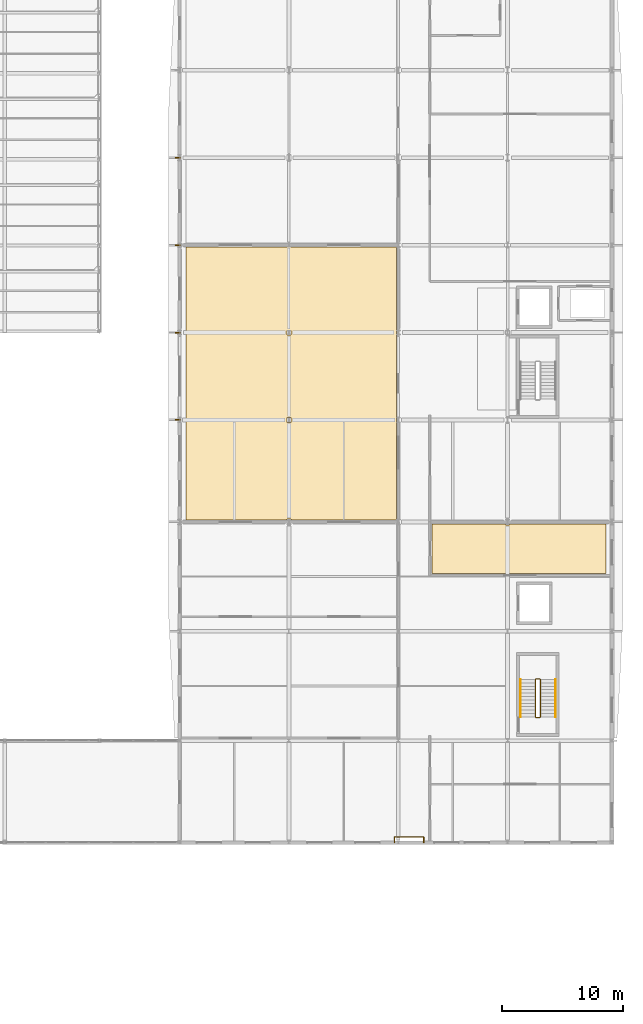
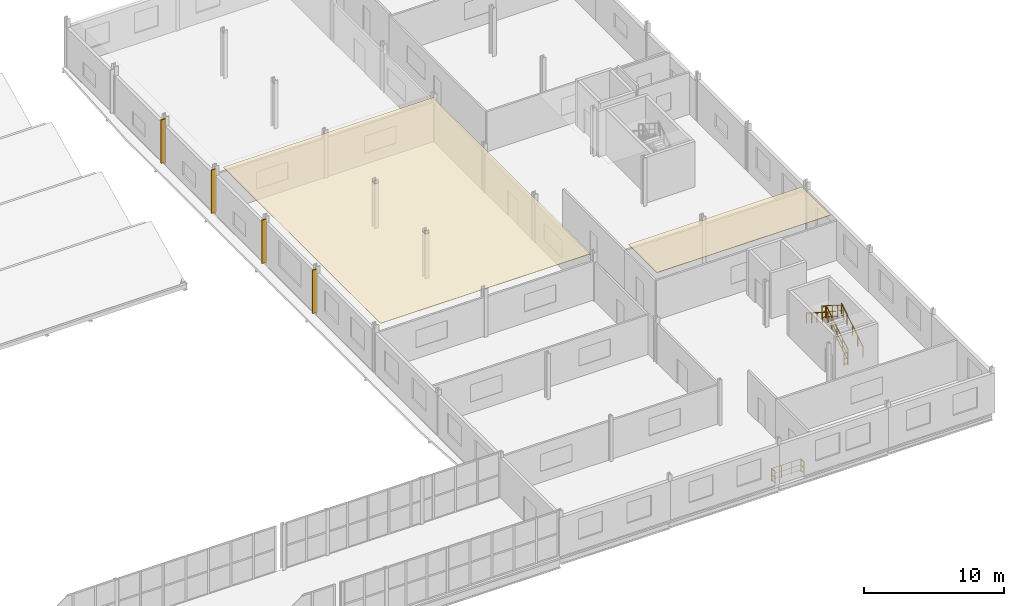
# One storey, part 137 of 138: 9 railings, 4 shading devices, 2 coverings.
"""IFC4 building model written with IfcOpenShell, lengths in metres."""

from ifc_helpers import new_model, si_unit, direction, frame, origin, origin_2d, place, context, subcontext, project, spatial, polyline, rectangle, circle, outline, extrude, material, layer, layer_set, type_object, element, save


model = new_model("IFC4")

# Units and contexts
model_context = context("Model", 3, precision=1e-05, world=origin(), true_north=direction((0.0, 1.0)))
body_context = subcontext(model_context, "Body", "Model", "MODEL_VIEW")
ifc_project = project(units=[si_unit("LENGTHUNIT", "METRE"), si_unit("AREAUNIT", "SQUARE_METRE"), si_unit("VOLUMEUNIT", "CUBIC_METRE"), si_unit("PLANEANGLEUNIT", "RADIAN"), si_unit("MASSUNIT", "GRAM", prefix="KILO")], contexts=[model_context])

# Site, building, storey
site_placement = place(None, origin())
site = spatial("IfcSite", under=ifc_project, at=site_placement, CompositionType="ELEMENT")
building_placement = place(site_placement, origin())
building = spatial("IfcBuilding", under=site, at=building_placement, Name="Vinh Khe Railworks Police Headquarters", CompositionType="ELEMENT")
storey_placement = place(building_placement, frame((0.0, 0.0, 9.0)))
storey = spatial("IfcBuildingStorey", under=building, at=storey_placement, Name="L02", CompositionType="ELEMENT", Elevation=9.0)

# Coverings
ifc_material_1 = material(Name="Mineral fibre acoustic ceiling tile")
ifc_layer = layer(ifc_material_1, 0.034912109375)
ifc_layer_set = layer_set([ifc_layer], Name="Mineral fibre acoustic ceiling tile")
covering_type = type_object("IfcCoveringType", Name="COV-CEIL-ACOUSTIC", PredefinedType="CEILING", material=ifc_layer_set)
covering_1_placement = place(storey_placement, frame((0.0, 0.0, 3.89501953125)))
element("IfcCovering", 1, at=covering_1_placement, inside=storey, type_object=covering_type, Name="Acoustic Ceiling Ballistics Forensic Laboratory", PredefinedType="CEILING", context=body_context, shape_type="SweptSolid", body=[
    extrude(outline(polyline([(87.155029296875, 122.56005859375), (95.840087890625, 122.56005859375), (95.840087890625, 145.0400390625), (87.155029296875, 145.0400390625), (87.155029296875, 145.02490234375), (86.844970703125, 145.02490234375), (86.844970703125, 145.0400390625), (78.510009765625, 145.0400390625), (78.510009765625, 122.56005859375), (86.844970703125, 122.56005859375), (86.844970703125, 122.6298828125), (87.155029296875, 122.6298828125), (87.155029296875, 122.56005859375)]), holes=[polyline([(87.155029296875, 130.594970703125), (86.844970703125, 130.594970703125), (86.844970703125, 131.0048828125), (87.155029296875, 131.0048828125), (87.155029296875, 130.594970703125)]), polyline([(87.155029296875, 137.81494140625), (86.844970703125, 137.81494140625), (86.844970703125, 138.18505859375), (87.155029296875, 138.18505859375), (87.155029296875, 137.81494140625)])]), origin(), (0.0, 0.0, 1.0), 0.034912109375),
])
covering_2_placement = place(storey_placement, frame((0.0, 0.0, 3.89501953125)))
element("IfcCovering", 2, at=covering_2_placement, inside=storey, type_object=covering_type, Name="Acoustic Ceiling Forensic Biometrics Intake Room", PredefinedType="CEILING", context=body_context, shape_type="SweptSolid", body=[
    extrude(outline(polyline([(113.090087890625, 118.159912109375), (113.090087890625, 122.239990234375), (105.155029296875, 122.239990234375), (105.155029296875, 122.169921875), (104.844970703125, 122.169921875), (104.844970703125, 122.239990234375), (98.760009765625, 122.239990234375), (98.760009765625, 118.159912109375), (113.090087890625, 118.159912109375)])), origin(), (0.0, 0.0, 1.0), 0.034912109375),
])

# Railings
ifc_material_2 = material(Name="Painted tubular steel", Category="steel")
railing_type_1 = type_object("IfcRailingType", Name="RL-GUARD-1100", PredefinedType="GUARDRAIL", material=ifc_material_2)
railing_1_placement = place(storey_placement, frame((107.699951171875, 106.35009765625, 0.175048828125)))
element("IfcRailing", 3, at=railing_1_placement, inside=storey, type_object=railing_type_1, Name="L02 ST-04 stair guard 1", PredefinedType="GUARDRAIL", context=body_context, shape_type="SweptSolid", body=[
    extrude(circle(Radius=0.02392578125, at=origin_2d()), frame((0.0, 0.0, 1.076171875), z_axis=(0.0, 0.847979421464, 0.530029150871), x_axis=(-1.0, 0.0, 0.0)), (0.0, 0.0, 1.0), 3.632080078125),
    extrude(circle(Radius=0.01416015625, at=origin_2d()), frame((0.0, 0.0, 0.132080078125), z_axis=(0.0, 0.847979421464, 0.530029150871), x_axis=(-1.0, 0.0, 0.0)), (0.0, 0.0, 1.0), 3.632080078125),
    extrude(circle(Radius=0.01416015625, at=origin_2d()), frame((0.0, 0.0, 0.572021484375), z_axis=(0.0, 0.847979421464, 0.530029150871), x_axis=(-1.0, 0.0, 0.0)), (0.0, 0.0, 1.0), 3.632080078125),
    extrude(circle(Radius=0.02099609375, at=origin_2d()), origin(), (0.0, 0.0, 1.0), 1.052001953125),
    extrude(circle(Radius=0.02099609375, at=origin_2d()), frame((0.0, 0.77001953125, 0.481201171875)), (0.0, 0.0, 1.0), 1.052001953125),
    extrude(circle(Radius=0.02099609375, at=origin_2d()), frame((0.0, 1.5400390625, 0.96240234375)), (0.0, 0.0, 1.0), 1.052001953125),
    extrude(circle(Radius=0.02099609375, at=origin_2d()), frame((0.0, 2.309814453125, 1.44384765625)), (0.0, 0.0, 1.0), 1.052001953125),
    extrude(circle(Radius=0.02099609375, at=origin_2d()), frame((0.0, 3.079833984375, 1.925048828125)), (0.0, 0.0, 1.0), 1.052001953125),
])
railing_2_placement = place(storey_placement, frame((107.64990234375, 109.47998046875, 2.10009765625)))
element("IfcRailing", 4, at=railing_2_placement, inside=storey, type_object=railing_type_1, Name="L02 ST-04 stair guard 2", PredefinedType="GUARDRAIL", context=body_context, shape_type="SweptSolid", body=[
    extrude(circle(Radius=0.02392578125, at=origin_2d()), frame((0.0, 0.0, 1.076171875), z_axis=(-1.0, 0.0, 0.0), x_axis=(0.0, -1.0, 0.0)), (0.0, 0.0, 1.0), 0.2998046875),
    extrude(circle(Radius=0.01416015625, at=origin_2d()), frame((0.0, 0.0, 0.132080078125), z_axis=(-1.0, 0.0, 0.0), x_axis=(0.0, -1.0, 0.0)), (0.0, 0.0, 1.0), 0.2998046875),
    extrude(circle(Radius=0.01416015625, at=origin_2d()), frame((0.0, 0.0, 0.572021484375), z_axis=(-1.0, 0.0, 0.0), x_axis=(0.0, -1.0, 0.0)), (0.0, 0.0, 1.0), 0.2998046875),
    extrude(circle(Radius=0.02099609375, at=origin_2d()), origin(), (0.0, 0.0, 1.0), 1.052001953125),
    extrude(circle(Radius=0.02099609375, at=origin_2d()), frame((-0.2998046875, 0.0, 0.0)), (0.0, 0.0, 1.0), 1.052001953125),
])
railing_3_placement = place(storey_placement, frame((107.300048828125, 109.429931640625, 2.27490234375)))
element("IfcRailing", 5, at=railing_3_placement, inside=storey, type_object=railing_type_1, Name="L02 ST-04 stair guard 3", PredefinedType="GUARDRAIL", context=body_context, shape_type="SweptSolid", body=[
    extrude(circle(Radius=0.02392578125, at=origin_2d()), frame((0.0, 0.0, 1.076171875), z_axis=(0.0, -0.847979421464, 0.530029150871), x_axis=(1.0, 0.0, 0.0)), (0.0, 0.0, 1.0), 3.632080078125),
    extrude(circle(Radius=0.01416015625, at=origin_2d()), frame((0.0, 0.0, 0.132080078125), z_axis=(0.0, -0.847979421464, 0.530029150871), x_axis=(1.0, 0.0, 0.0)), (0.0, 0.0, 1.0), 3.632080078125),
    extrude(circle(Radius=0.01416015625, at=origin_2d()), frame((0.0, 0.0, 0.572021484375), z_axis=(0.0, -0.847979421464, 0.530029150871), x_axis=(1.0, 0.0, 0.0)), (0.0, 0.0, 1.0), 3.632080078125),
    extrude(circle(Radius=0.02099609375, at=origin_2d()), origin(), (0.0, 0.0, 1.0), 1.052001953125),
    extrude(circle(Radius=0.02099609375, at=origin_2d()), frame((0.0, -0.77001953125, 0.481201171875)), (0.0, 0.0, 1.0), 1.052001953125),
    extrude(circle(Radius=0.02099609375, at=origin_2d()), frame((0.0, -1.5400390625, 0.96240234375)), (0.0, 0.0, 1.0), 1.052001953125),
    extrude(circle(Radius=0.02099609375, at=origin_2d()), frame((0.0, -2.309814453125, 1.44384765625)), (0.0, 0.0, 1.0), 1.052001953125),
    extrude(circle(Radius=0.02099609375, at=origin_2d()), frame((0.0, -3.079833984375, 1.925048828125)), (0.0, 0.0, 1.0), 1.052001953125),
])
railing_4_placement = place(storey_placement, frame((107.64990234375, 106.300048828125, 0.0)))
element("IfcRailing", 6, at=railing_4_placement, inside=storey, type_object=railing_type_1, Name="L02 ST-04 stair guard 4", PredefinedType="GUARDRAIL", context=body_context, shape_type="SweptSolid", body=[
    extrude(circle(Radius=0.02392578125, at=origin_2d()), frame((0.0, 0.0, 1.076171875), z_axis=(-1.0, 0.0, 0.0), x_axis=(0.0, -1.0, 0.0)), (0.0, 0.0, 1.0), 0.2998046875),
    extrude(circle(Radius=0.01416015625, at=origin_2d()), frame((0.0, 0.0, 0.132080078125), z_axis=(-1.0, 0.0, 0.0), x_axis=(0.0, -1.0, 0.0)), (0.0, 0.0, 1.0), 0.2998046875),
    extrude(circle(Radius=0.01416015625, at=origin_2d()), frame((0.0, 0.0, 0.572021484375), z_axis=(-1.0, 0.0, 0.0), x_axis=(0.0, -1.0, 0.0)), (0.0, 0.0, 1.0), 0.2998046875),
    extrude(circle(Radius=0.02099609375, at=origin_2d()), origin(), (0.0, 0.0, 1.0), 1.052001953125),
    extrude(circle(Radius=0.02099609375, at=origin_2d()), frame((-0.2998046875, 0.0, 0.0)), (0.0, 0.0, 1.0), 1.052001953125),
])
railing_5_placement = place(storey_placement, frame((95.699951171875, 96.0, 0.0)))
element("IfcRailing", 7, at=railing_5_placement, inside=storey, type_object=railing_type_1, Name="Slab Corner Notch Guard L02-84", PredefinedType="GUARDRAIL", context=body_context, shape_type="SweptSolid", body=[
    extrude(circle(Radius=0.02392578125, at=origin_2d()), frame((0.0, 0.0, 1.09619140625), z_axis=(0.0, 1.0, 0.0), x_axis=(-1.0, 0.0, 0.0)), (0.0, 0.0, 1.0), 0.449951171875),
    extrude(circle(Radius=0.01416015625, at=origin_2d()), frame((0.0, 0.0, 0.134521484375), z_axis=(0.0, 1.0, 0.0), x_axis=(-1.0, 0.0, 0.0)), (0.0, 0.0, 1.0), 0.449951171875),
    extrude(circle(Radius=0.01416015625, at=origin_2d()), frame((0.0, 0.0, 0.58251953125), z_axis=(0.0, 1.0, 0.0), x_axis=(-1.0, 0.0, 0.0)), (0.0, 0.0, 1.0), 0.449951171875),
    extrude(circle(Radius=0.02099609375, at=origin_2d()), origin(), (0.0, 0.0, 1.0), 1.072021484375),
    extrude(circle(Radius=0.02099609375, at=origin_2d()), frame((0.0, 0.449951171875, 0.0)), (0.0, 0.0, 1.0), 1.072021484375),
])
railing_6_placement = place(storey_placement, frame((95.699951171875, 96.449951171875, 0.0)))
element("IfcRailing", 8, at=railing_6_placement, inside=storey, type_object=railing_type_1, Name="Slab Corner Notch Guard L02-85", PredefinedType="GUARDRAIL", context=body_context, shape_type="SweptSolid", body=[
    extrude(circle(Radius=0.02392578125, at=origin_2d()), frame((0.0, 0.0, 1.09619140625), z_axis=(1.0, 0.0, 0.0), x_axis=(0.0, 1.0, 0.0)), (0.0, 0.0, 1.0), 2.400146484375),
    extrude(circle(Radius=0.01416015625, at=origin_2d()), frame((0.0, 0.0, 0.134521484375), z_axis=(1.0, 0.0, 0.0), x_axis=(0.0, 1.0, 0.0)), (0.0, 0.0, 1.0), 2.400146484375),
    extrude(circle(Radius=0.01416015625, at=origin_2d()), frame((0.0, 0.0, 0.58251953125), z_axis=(1.0, 0.0, 0.0), x_axis=(0.0, 1.0, 0.0)), (0.0, 0.0, 1.0), 2.400146484375),
    extrude(circle(Radius=0.02099609375, at=origin_2d()), origin(), (0.0, 0.0, 1.0), 1.072021484375),
    extrude(circle(Radius=0.02099609375, at=origin_2d()), frame((0.800048828125, 0.0, 0.0)), (0.0, 0.0, 1.0), 1.072021484375),
    extrude(circle(Radius=0.02099609375, at=origin_2d()), frame((1.60009765625, 0.0, 0.0)), (0.0, 0.0, 1.0), 1.072021484375),
    extrude(circle(Radius=0.02099609375, at=origin_2d()), frame((2.400146484375, 0.0, 0.0)), (0.0, 0.0, 1.0), 1.072021484375),
])
railing_7_placement = place(storey_placement, frame((98.10009765625, 96.449951171875, 0.0)))
element("IfcRailing", 9, at=railing_7_placement, inside=storey, type_object=railing_type_1, Name="Slab Corner Notch Guard L02-86", PredefinedType="GUARDRAIL", context=body_context, shape_type="SweptSolid", body=[
    extrude(circle(Radius=0.02392578125, at=origin_2d()), frame((0.0, 0.0, 1.09619140625), z_axis=(0.0, -1.0, 0.0), x_axis=(1.0, 0.0, 0.0)), (0.0, 0.0, 1.0), 0.449951171875),
    extrude(circle(Radius=0.01416015625, at=origin_2d()), frame((0.0, 0.0, 0.134521484375), z_axis=(0.0, -1.0, 0.0), x_axis=(1.0, 0.0, 0.0)), (0.0, 0.0, 1.0), 0.449951171875),
    extrude(circle(Radius=0.01416015625, at=origin_2d()), frame((0.0, 0.0, 0.58251953125), z_axis=(0.0, -1.0, 0.0), x_axis=(1.0, 0.0, 0.0)), (0.0, 0.0, 1.0), 0.449951171875),
    extrude(circle(Radius=0.02099609375, at=origin_2d()), origin(), (0.0, 0.0, 1.0), 1.072021484375),
    extrude(circle(Radius=0.02099609375, at=origin_2d()), frame((0.0, -0.449951171875, 0.0)), (0.0, 0.0, 1.0), 1.072021484375),
])
ifc_material_3 = material(Name="Brushed stainless steel", Category="steel")
railing_type_2 = type_object("IfcRailingType", Name="RL-HAND-900", PredefinedType="HANDRAIL", material=ifc_material_3)
railing_8_placement = place(storey_placement, frame((108.949951171875, 106.35009765625, 0.175048828125)))
element("IfcRailing", 10, at=railing_8_placement, inside=storey, type_object=railing_type_2, Name="L02 ST-04 stair handrail 1", PredefinedType="HANDRAIL", context=body_context, shape_type="SweptSolid", body=[
    extrude(circle(Radius=0.02392578125, at=origin_2d()), frame((0.0, 0.0, 0.8759765625), z_axis=(0.0, 0.847979421464, 0.530029150871), x_axis=(-1.0, 0.0, 0.0)), (0.0, 0.0, 1.0), 3.632080078125),
    extrude(circle(Radius=0.02099609375, at=origin_2d()), origin(), (0.0, 0.0, 1.0), 0.851806640625),
    extrude(circle(Radius=0.02099609375, at=origin_2d()), frame((0.0, 0.77001953125, 0.481201171875)), (0.0, 0.0, 1.0), 0.851806640625),
    extrude(circle(Radius=0.02099609375, at=origin_2d()), frame((0.0, 1.5400390625, 0.96240234375)), (0.0, 0.0, 1.0), 0.851806640625),
    extrude(circle(Radius=0.02099609375, at=origin_2d()), frame((0.0, 2.309814453125, 1.44384765625)), (0.0, 0.0, 1.0), 0.851806640625),
    extrude(circle(Radius=0.02099609375, at=origin_2d()), frame((0.0, 3.079833984375, 1.925048828125)), (0.0, 0.0, 1.0), 0.851806640625),
])
railing_9_placement = place(storey_placement, frame((106.050048828125, 109.429931640625, 2.27490234375)))
element("IfcRailing", 11, at=railing_9_placement, inside=storey, type_object=railing_type_2, Name="L02 ST-04 stair handrail 2", PredefinedType="HANDRAIL", context=body_context, shape_type="SweptSolid", body=[
    extrude(circle(Radius=0.02392578125, at=origin_2d()), frame((0.0, 0.0, 0.8759765625), z_axis=(0.0, -0.847979421464, 0.530029150871), x_axis=(1.0, 0.0, 0.0)), (0.0, 0.0, 1.0), 3.632080078125),
    extrude(circle(Radius=0.02099609375, at=origin_2d()), origin(), (0.0, 0.0, 1.0), 0.851806640625),
    extrude(circle(Radius=0.02099609375, at=origin_2d()), frame((0.0, -0.77001953125, 0.481201171875)), (0.0, 0.0, 1.0), 0.851806640625),
    extrude(circle(Radius=0.02099609375, at=origin_2d()), frame((0.0, -1.5400390625, 0.96240234375)), (0.0, 0.0, 1.0), 0.851806640625),
    extrude(circle(Radius=0.02099609375, at=origin_2d()), frame((0.0, -2.309814453125, 1.44384765625)), (0.0, 0.0, 1.0), 0.851806640625),
    extrude(circle(Radius=0.02099609375, at=origin_2d()), frame((0.0, -3.079833984375, 1.925048828125)), (0.0, 0.0, 1.0), 0.851806640625),
])

# Shading devices
ifc_material_4 = material(Name="Salvaged ironwood timber", Category="wood")
shading_device_type = type_object("IfcShadingDeviceType", Name="SHD-MSF-01", PredefinedType="JALOUSIE", material=ifc_material_4)
for number, where, z_axis, x_axis, name in (
    (12, (77.840087890625, 130.800048828125, 0.10009765625), (0.0, 0.0, 1.0), (1.0, 0.0, 0.0), "Monsoon Court Solar Fin V6 L02-1"),
    (13, (77.840087890625, 138.0, 0.10009765625), (0.0, 0.0, 1.0), (1.0, 0.0, 0.0), "Monsoon Court Solar Fin V6 L02-2"),
    (14, (77.840087890625, 145.199951171875, 0.10009765625), (0.0, 0.0, 1.0), (1.0, 0.0, 0.0), "Monsoon Court Solar Fin V6 L02-3"),
    (15, (77.840087890625, 152.39990234375, 0.10009765625), (0.0, 0.0, 1.0), (1.0, 0.0, 0.0), "Monsoon Court Solar Fin V6 L02-4"),
):
    element("IfcShadingDevice", number, at=place(storey_placement, frame(where, z_axis=z_axis, x_axis=x_axis)), inside=storey, type_object=shading_device_type, Name=name, PredefinedType="JALOUSIE", context=body_context, shape_type="SweptSolid", body=[
        extrude(rectangle(XDim=0.419921875, YDim=0.080078125, at=origin_2d()), origin(), (0.0, 0.0, 1.0), 3.780029296875),
    ])

save(model, "model.ifc")
